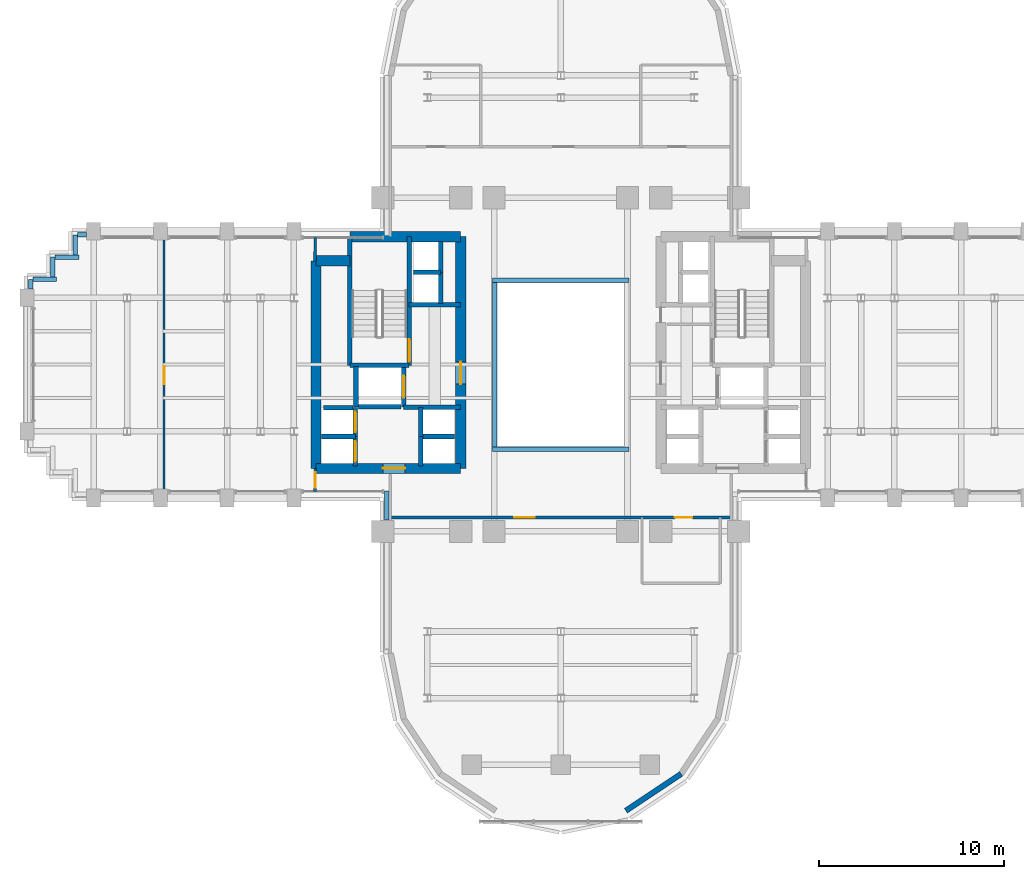
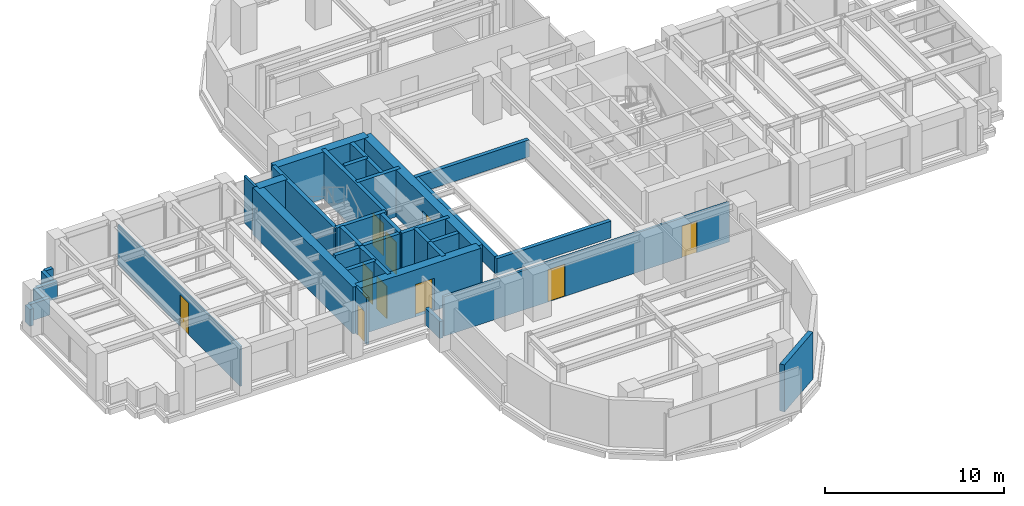
# One storey, part 10 of 16: 38 walls, 10 doors, 10 openings.
"""IFC4 building model written with IfcOpenShell, lengths in metres."""

from ifc_helpers import new_model, si_unit, direction, frame, frame_2d, origin, place, context, subcontext, project, spatial, rectangle, extrude, source, transform, mapped, material, layer, layer_set, type_object, element, fill, save


model = new_model("IFC4")

# Units and contexts
model_context = context("Model", 3, precision=1e-05, world=origin(), true_north=direction((0.0, 1.0)))
body_context = subcontext(model_context, "Body", "Model", "MODEL_VIEW")
ifc_project = project(units=[si_unit("LENGTHUNIT", "METRE"), si_unit("AREAUNIT", "SQUARE_METRE"), si_unit("VOLUMEUNIT", "CUBIC_METRE"), si_unit("PLANEANGLEUNIT", "RADIAN"), si_unit("MASSUNIT", "GRAM", prefix="KILO")], contexts=[model_context])

# Site, building, storey
site_placement = place(None, origin())
site = spatial("IfcSite", under=ifc_project, at=site_placement, CompositionType="ELEMENT")
building_placement = place(site_placement, origin())
building = spatial("IfcBuilding", under=site, at=building_placement, Name="Keilestroom Media Tower", CompositionType="ELEMENT")
storey_placement = place(building_placement, frame((0.0, 0.0, 68.0)))
storey = spatial("IfcBuildingStorey", under=building, at=storey_placement, Name="L17", CompositionType="ELEMENT", Elevation=68.0)

# Wall
ifc_material_1 = material(Name="Precast concrete C40/50", Category="concrete")
ifc_layer_1 = layer(ifc_material_1, 0.300048828125)
ifc_layer_set_1 = layer_set([ifc_layer_1], Name="Precast concrete C40/50")
wall_type_1 = type_object("IfcWallType", Name="Exterior-Masonry-Spandrel-Wall-300", PredefinedType="SOLIDWALL", material=ifc_layer_set_1)
wall_1_placement = place(storey_placement, frame((3.510009765625, -24.073486328125, 0.0), z_axis=(0.0, 0.0, 1.0), x_axis=(0.8314749531, 0.555562239868, 0.0)))
element("IfcWall", 1, at=wall_1_placement, inside=storey, type_object=wall_type_1, Name="L17 Lobe Facet Precast Frame Wall 10", PredefinedType="SOLIDWALL", context=body_context, shape_type="SweptSolid", body=[
    extrude(rectangle(XDim=3.59326171875, YDim=0.300048828125, at=frame_2d((1.796630859375, 0.0))), origin(), (0.0, 0.0, 1.0), 3.199951171875),
])

# Wall, opening, door
ifc_material_2 = material(Name="Gypsum Plasterboard & Steel Stud", Category="steel")
ifc_layer_2 = layer(ifc_material_2, 0.1201171875)
ifc_layer_set_2 = layer_set([ifc_layer_2], Name="Gypsum Plasterboard & Steel Stud")
wall_type_2 = type_object("IfcWallType", Name="Interior-Partition-Wall-120", PredefinedType="PARTITIONING", material=ifc_layer_set_2)
wall_2_placement = place(storey_placement, frame((-21.39990234375, -6.85009765625, 0.0), z_axis=(0.0, 0.0, 1.0), x_axis=(0.0, 1.0, 0.0)))
wall_2 = element("IfcWall", 2, at=wall_2_placement, inside=storey, type_object=wall_type_2, Name="L17 Interior Wall WP-L17-WA-V", PredefinedType="PARTITIONING", context=body_context, shape_type="SweptSolid", body=[
    extrude(rectangle(XDim=13.7001953125, YDim=0.1201171875, at=frame_2d((6.85009765625, 0.0))), origin(), (0.0, 0.0, 1.0), 2.7099609375),
])
opening_1_placement = place(wall_2_placement, frame((5.800048828125, 0.0, 0.0)))
opening_1 = element("IfcOpeningElement", 3, at=opening_1_placement, cuts=wall_2, Name="Opening DI-03", PredefinedType="OPENING", context=body_context, shape_type="SweptSolid", body=[
    extrude(rectangle(XDim=0.949951171875, YDim=2.14990234375, at=frame_2d((0.47509765625, 1.074951171875))), frame((0.0, 0.070068359375, 0.0), z_axis=(0.0, -1.0, 0.0), x_axis=(1.0, 0.0, 0.0)), (0.0, 0.0, 1.0), 0.14013671875),
])
ifc_material_3 = material(Name="Lacquered European Oak Leaf", Category="wood")
door_type_1 = type_object("IfcDoorType", Name="Interior-Room-And-Suite-Door-DI-03", OperationType="NOTDEFINED", PredefinedType="DOOR", material=ifc_material_3)
shared_shape_1 = source(origin(), body_context, "Body", "SweptSolid", [
    extrude(rectangle(XDim=0.949951171875, YDim=2.14990234375, at=frame_2d((0.47509765625, 1.074951171875))), frame((0.0, 0.02490234375, 0.0), z_axis=(0.0, -1.0, 0.0), x_axis=(1.0, 0.0, 0.0)), (0.0, 0.0, 1.0), 0.050048828125),
])
door_1_placement = place(opening_1_placement, origin())
door_1 = element("IfcDoor", 4, at=door_1_placement, inside=storey, type_object=door_type_1, Name="L17 Interior Door DI-L17-DWA-W", OperationType="SINGLE_SWING_LEFT", OverallHeight=2.14990234375, OverallWidth=0.949951171875, PredefinedType="DOOR", context=body_context, shape_type="MappedRepresentation", body=[
    mapped(shared_shape_1, transform((0.0, 0.0, 0.0), x_axis=(1.0, 0.0, 0.0), y_axis=(0.0, 1.0, 0.0), z_axis=(0.0, 0.0, 1.0), scale=1.0)),
])
fill(opening_1, door_1)

# Wall, openings, doors
ifc_layer_3 = layer(ifc_material_2, 0.14990234375)
ifc_layer_set_3 = layer_set([ifc_layer_3], Name="Gypsum Plasterboard & Steel Stud")
wall_type_3 = type_object("IfcWallType", Name="Interior-Partition-Wall-150", PredefinedType="PARTITIONING", material=ifc_layer_set_3)
wall_3_placement = place(storey_placement, frame((-9.199951171875, -8.25, 0.0), z_axis=(0.0, 0.0, 1.0), x_axis=(1.0, 0.0, 0.0)))
wall_3 = element("IfcWall", 5, at=wall_3_placement, inside=storey, type_object=wall_type_3, Name="L17 Interior Wall WP-L17-SL-BASE", PredefinedType="PARTITIONING", context=body_context, shape_type="SweptSolid", body=[
    extrude(rectangle(XDim=18.39990234375, YDim=0.14990234375, at=frame_2d((9.199951171875, 0.0))), origin(), (0.0, 0.0, 1.0), 2.699951171875),
])
opening_2_placement = place(wall_3_placement, frame((15.35009765625, 0.0, 0.0)))
opening_2 = element("IfcOpeningElement", 6, at=opening_2_placement, cuts=wall_3, Name="Opening DI-03", PredefinedType="OPENING", context=body_context, shape_type="SweptSolid", body=[
    extrude(rectangle(XDim=0.949951171875, YDim=2.14990234375, at=frame_2d((0.47509765625, 1.074951171875))), frame((0.0, 0.0849609375, 0.0), z_axis=(0.0, -1.0, 0.0), x_axis=(1.0, 0.0, 0.0)), (0.0, 0.0, 1.0), 0.169921875),
])
opening_3_placement = place(wall_3_placement, frame((6.699951171875, 0.0, 0.0)))
opening_3 = element("IfcOpeningElement", 7, at=opening_3_placement, cuts=wall_3, Name="Opening DI-04", PredefinedType="OPENING", context=body_context, shape_type="SweptSolid", body=[
    extrude(rectangle(XDim=1.10009765625, YDim=2.199951171875, at=frame_2d((0.550048828125, 1.10009765625))), frame((0.0, 0.0849609375, 0.0), z_axis=(0.0, -1.0, 0.0), x_axis=(1.0, 0.0, 0.0)), (0.0, 0.0, 1.0), 0.169921875),
])
door_2_placement = place(opening_2_placement, origin())
door_2 = element("IfcDoor", 8, at=door_2_placement, inside=storey, type_object=door_type_1, Name="L17 Interior Door DI-L17-DSL-WC", OperationType="SINGLE_SWING_RIGHT", OverallHeight=2.14990234375, OverallWidth=0.949951171875, PredefinedType="DOOR", context=body_context, shape_type="MappedRepresentation", body=[
    mapped(shared_shape_1, transform((0.0, 0.0, 0.0), x_axis=(1.0, 0.0, 0.0), y_axis=(0.0, 1.0, 0.0), z_axis=(0.0, 0.0, 1.0), scale=1.0)),
])
fill(opening_2, door_2)
ifc_material_4 = material(Name="Acoustic Glazed Aluminium Leaf", Category="aluminium")
door_type_2 = type_object("IfcDoorType", Name="Interior-Room-And-Suite-Door-DI-04", OperationType="NOTDEFINED", PredefinedType="DOOR", material=ifc_material_4)
shared_shape_2 = source(origin(), body_context, "Body", "SweptSolid", [
    extrude(rectangle(XDim=1.10009765625, YDim=2.199951171875, at=frame_2d((0.550048828125, 1.10009765625))), frame((0.0, 0.02490234375, 0.0), z_axis=(0.0, -1.0, 0.0), x_axis=(1.0, 0.0, 0.0)), (0.0, 0.0, 1.0), 0.050048828125),
])
door_3_placement = place(opening_3_placement, origin())
door_3 = element("IfcDoor", 9, at=door_3_placement, inside=storey, type_object=door_type_2, Name="L17 Interior Door DI-L17-DSL-MAIN", OperationType="SINGLE_SWING_LEFT", OverallHeight=2.199951171875, OverallWidth=1.10009765625, PredefinedType="DOOR", context=body_context, shape_type="MappedRepresentation", body=[
    mapped(shared_shape_2, transform((0.0, 0.0, 0.0), x_axis=(1.0, 0.0, 0.0), y_axis=(0.0, 1.0, 0.0), z_axis=(0.0, 0.0, 1.0), scale=1.0)),
])
fill(opening_3, door_3)

# Wall
wall_4_placement = place(storey_placement, frame((-13.260009765625, 5.60009765625, 0.0), z_axis=(0.0, 0.0, 1.0), x_axis=(0.016013571389, 0.999871774545, 0.0)))
element("IfcWall", 10, at=wall_4_placement, inside=storey, type_object=wall_type_3, Name="L17 Interior Wall WP-L17-WA-ENTN", PredefinedType="PARTITIONING", context=body_context, shape_type="SweptSolid", body=[
    extrude(rectangle(XDim=1.250244140625, YDim=0.14990234375, at=frame_2d((0.625, 0.0))), origin(), (0.0, 0.0, 1.0), 3.199951171875),
])

# Wall, opening, door
wall_5_placement = place(storey_placement, frame((-13.260009765625, -6.85009765625, 0.0), z_axis=(0.0, 0.0, 1.0), x_axis=(0.016013571389, 0.999871774545, 0.0)))
wall_5 = element("IfcWall", 11, at=wall_5_placement, inside=storey, type_object=wall_type_3, Name="L17 Interior Wall WP-L17-WA-ENTS", PredefinedType="PARTITIONING", context=body_context, shape_type="SweptSolid", body=[
    extrude(rectangle(XDim=1.250244140625, YDim=0.14990234375, at=frame_2d((0.625, 0.0))), origin(), (0.0, 0.0, 1.0), 3.199951171875),
])
opening_4_placement = place(wall_5_placement, frame((0.199951171875, 0.0, 0.0)))
opening_4 = element("IfcOpeningElement", 12, at=opening_4_placement, cuts=wall_5, Name="Opening DI-05", PredefinedType="OPENING", context=body_context, shape_type="SweptSolid", body=[
    extrude(rectangle(XDim=0.85009765625, YDim=2.10009765625, at=frame_2d((0.425048828125, 1.050048828125))), frame((0.0, 0.0849609375, 0.0), z_axis=(0.0, -1.0, 0.0), x_axis=(1.0, 0.0, 0.0)), (0.0, 0.0, 1.0), 0.169921875),
])
ifc_material_5 = material(Name="Moisture-Resistant Oak Leaf", Category="wood")
door_type_3 = type_object("IfcDoorType", Name="Interior-En-Suite-And-Cupboard-Door-DI-05", OperationType="NOTDEFINED", PredefinedType="DOOR", material=ifc_material_5)
shared_shape_3 = source(origin(), body_context, "Body", "SweptSolid", [
    extrude(rectangle(XDim=0.85009765625, YDim=2.10009765625, at=frame_2d((0.425048828125, 1.050048828125))), frame((0.0, 0.02490234375, 0.0), z_axis=(0.0, -1.0, 0.0), x_axis=(1.0, 0.0, 0.0)), (0.0, 0.0, 1.0), 0.050048828125),
])
door_4_placement = place(opening_4_placement, origin())
door_4 = element("IfcDoor", 13, at=door_4_placement, inside=storey, type_object=door_type_3, Name="L17 Interior Door DI-L17-DWA-E", OperationType="SINGLE_SWING_RIGHT", OverallHeight=2.10009765625, OverallWidth=0.85009765625, PredefinedType="DOOR", context=body_context, shape_type="MappedRepresentation", body=[
    mapped(shared_shape_3, transform((0.0, 0.0, 0.0), x_axis=(1.0, 0.0, 0.0), y_axis=(0.0, 1.0, 0.0), z_axis=(0.0, 0.0, 1.0), scale=1.0)),
])
fill(opening_4, door_4)

# Wall
ifc_material_6 = material(Name="Concrete C70/85", Category="concrete")
ifc_layer_4 = layer(ifc_material_6, 0.550048828125)
ifc_layer_set_4 = layer_set([ifc_layer_4], Name="Concrete C70/85")
wall_type_4 = type_object("IfcWallType", Name="Reinforced-Concrete-Core-Shear-Wall-550", PredefinedType="SHEAR", material=ifc_layer_set_4)
wall_6_placement = place(storey_placement, frame((-13.199951171875, -5.60009765625, 0.0), z_axis=(0.0, 0.0, 1.0), x_axis=(0.0, 1.0, 0.0)))
element("IfcWall", 14, at=wall_6_placement, inside=storey, type_object=wall_type_4, Name="L17 Core Shear Wall WL-L17-CORE-W-OUT", PredefinedType="SHEAR", context=body_context, shape_type="SweptSolid", body=[
    extrude(rectangle(XDim=11.2001953125, YDim=0.550048828125, at=frame_2d((5.60009765625, 0.0))), origin(), (0.0, 0.0, 1.0), 3.199951171875),
])

# Wall, opening, door
wall_7_placement = place(storey_placement, frame((-5.39990234375, -5.60009765625, 0.0), z_axis=(0.0, 0.0, 1.0), x_axis=(0.0, 1.0, 0.0)))
wall_7 = element("IfcWall", 15, at=wall_7_placement, inside=storey, type_object=wall_type_4, Name="L17 Core Shear Wall WL-L17-CORE-W-IN", PredefinedType="SHEAR", context=body_context, shape_type="SweptSolid", body=[
    extrude(rectangle(XDim=12.5, YDim=0.550048828125, at=frame_2d((6.25, 0.0))), origin(), (0.0, 0.0, 1.0), 3.199951171875),
])
opening_5_placement = place(wall_7_placement, frame((4.550048828125, 0.0, 0.0)))
opening_5 = element("IfcOpeningElement", 16, at=opening_5_placement, cuts=wall_7, Name="Opening DI-02", PredefinedType="OPENING", context=body_context, shape_type="SweptSolid", body=[
    extrude(rectangle(XDim=1.199951171875, YDim=2.199951171875, at=frame_2d((0.60009765625, 1.10009765625))), frame((0.0, 0.28515625, 0.0), z_axis=(0.0, -1.0, 0.0), x_axis=(1.0, 0.0, 0.0)), (0.0, 0.0, 1.0), 0.570068359375),
])
ifc_material_7 = material(Name="Powder-Coated Steel Fire Leaf", Category="steel")
door_type_4 = type_object("IfcDoorType", Name="Interior-Compartment-Fire-Door-DI-02", OperationType="NOTDEFINED", PredefinedType="DOOR", material=ifc_material_7)
shared_shape_4 = source(origin(), body_context, "Body", "SweptSolid", [
    extrude(rectangle(XDim=1.199951171875, YDim=2.199951171875, at=frame_2d((0.60009765625, 1.10009765625))), frame((0.0, 0.02490234375, 0.0), z_axis=(0.0, -1.0, 0.0), x_axis=(1.0, 0.0, 0.0)), (0.0, 0.0, 1.0), 0.050048828125),
])
door_5_placement = place(opening_5_placement, origin())
door_5 = element("IfcDoor", 17, at=door_5_placement, inside=storey, type_object=door_type_4, Name="L17 W Firefighting Lobby Door", OperationType="SINGLE_SWING_RIGHT", OverallHeight=2.199951171875, OverallWidth=1.199951171875, PredefinedType="DOOR", context=body_context, shape_type="MappedRepresentation", body=[
    mapped(shared_shape_4, transform((0.0, 0.0, 0.0), x_axis=(1.0, 0.0, 0.0), y_axis=(0.0, 1.0, 0.0), z_axis=(0.0, 0.0, 1.0), scale=1.0)),
])
fill(opening_5, door_5)

# Walls
wall_8_placement = place(storey_placement, frame((-11.381103515625, 6.89990234375, 0.0), z_axis=(0.0, 0.0, 1.0), x_axis=(1.0, 0.0, 0.0)))
element("IfcWall", 18, at=wall_8_placement, inside=storey, type_object=wall_type_4, Name="L17 Core Shear Wall WL-L17-CORE-W-N", PredefinedType="SHEAR", context=body_context, shape_type="SweptSolid", body=[
    extrude(rectangle(XDim=5.981201171875, YDim=0.550048828125, at=frame_2d((2.99072265625, 0.0))), origin(), (0.0, 0.0, 1.0), 3.199951171875),
])
wall_9_placement = place(storey_placement, frame((-13.199951171875, 5.60009765625, 0.0), z_axis=(0.0, 0.0, 1.0), x_axis=(1.0, 0.0, 0.0)))
element("IfcWall", 19, at=wall_9_placement, inside=storey, type_object=wall_type_4, Name="L17 Core Shear Wall WL-L17-CNW-N", PredefinedType="SHEAR", context=body_context, shape_type="SweptSolid", body=[
    extrude(rectangle(XDim=1.81884765625, YDim=0.550048828125, at=frame_2d((0.909423828125, 0.0))), origin(), (0.0, 0.0, 1.0), 3.199951171875),
])

# Wall, opening, door
wall_10_placement = place(storey_placement, frame((-13.199951171875, -5.60009765625, 0.0), z_axis=(0.0, 0.0, 1.0), x_axis=(1.0, 0.0, 0.0)))
wall_10 = element("IfcWall", 20, at=wall_10_placement, inside=storey, type_object=wall_type_4, Name="L17 Core Shear Wall WL-L17-CORE-W-S", PredefinedType="SHEAR", context=body_context, shape_type="SweptSolid", body=[
    extrude(rectangle(XDim=7.800048828125, YDim=0.550048828125, at=frame_2d((3.89990234375, 0.0))), origin(), (0.0, 0.0, 1.0), 3.199951171875),
])
opening_6_placement = place(wall_10_placement, frame((3.60009765625, 0.0, 0.0)))
opening_6 = element("IfcOpeningElement", 21, at=opening_6_placement, cuts=wall_10, Name="Opening DI-02", PredefinedType="OPENING", context=body_context, shape_type="SweptSolid", body=[
    extrude(rectangle(XDim=1.199951171875, YDim=2.199951171875, at=frame_2d((0.60009765625, 1.10009765625))), frame((0.0, 0.28515625, 0.0), z_axis=(0.0, -1.0, 0.0), x_axis=(1.0, 0.0, 0.0)), (0.0, 0.0, 1.0), 0.570068359375),
])
door_6_placement = place(opening_6_placement, origin())
door_6 = element("IfcDoor", 22, at=door_6_placement, inside=storey, type_object=door_type_4, Name="L17 W Passenger Lift Lobby Door", OperationType="SINGLE_SWING_LEFT", OverallHeight=2.199951171875, OverallWidth=1.199951171875, PredefinedType="DOOR", context=body_context, shape_type="MappedRepresentation", body=[
    mapped(shared_shape_4, transform((0.0, 0.0, 0.0), x_axis=(1.0, 0.0, 0.0), y_axis=(0.0, 1.0, 0.0), z_axis=(0.0, 0.0, 1.0), scale=1.0)),
])
fill(opening_6, door_6)

# Walls
ifc_material_8 = material(Name="Concrete C50/60", Category="concrete")
ifc_layer_5 = layer(ifc_material_8, 0.25)
ifc_layer_set_5 = layer_set([ifc_layer_5], Name="Concrete C50/60")
wall_type_5 = type_object("IfcWallType", Name="Reinforced-Concrete-Shaft-Wall-250", PredefinedType="SOLIDWALL", material=ifc_layer_set_5)
wall_11_placement = place(storey_placement, frame((-8.179931640625, 3.219970703125, 0.0), z_axis=(0.0, 0.0, 1.0), x_axis=(1.0, 0.0, 0.0)))
element("IfcWall", 23, at=wall_11_placement, inside=storey, type_object=wall_type_5, Name="L17 Core Shear Wall WL-L17-CORE-W-FFN", PredefinedType="SOLIDWALL", context=body_context, shape_type="SweptSolid", body=[
    extrude(rectangle(XDim=2.780029296875, YDim=0.25, at=frame_2d((1.39013671875, 0.0))), origin(), (0.0, 0.0, 1.0), 3.199951171875),
])
wall_12_placement = place(storey_placement, frame((-8.47998046875, -2.300048828125, 0.0), z_axis=(0.0, 0.0, 1.0), x_axis=(1.0, 0.0, 0.0)))
element("IfcWall", 24, at=wall_12_placement, inside=storey, type_object=wall_type_5, Name="L17 Core Shear Wall WL-L17-CORE-W-FFS", PredefinedType="SOLIDWALL", context=body_context, shape_type="SweptSolid", body=[
    extrude(rectangle(XDim=3.080078125, YDim=0.25, at=frame_2d((1.5400390625, 0.0))), origin(), (0.0, 0.0, 1.0), 3.199951171875),
])

# Wall, opening, door
wall_13_placement = place(storey_placement, frame((-8.178955078125, -0.041015625, 0.0), z_axis=(0.0, 0.0, 1.0), x_axis=(0.0, 1.0, 0.0)))
wall_13 = element("IfcWall", 25, at=wall_13_placement, inside=storey, type_object=wall_type_5, Name="L17 Core Shear Wall WL-L17-STW-W-NEAR", PredefinedType="SOLIDWALL", context=body_context, shape_type="SweptSolid", body=[
    extrude(rectangle(XDim=6.94091796875, YDim=0.25, at=frame_2d((3.470458984375, 0.0))), origin(), (0.0, 0.0, 1.0), 3.199951171875),
])
opening_7_placement = place(wall_13_placement, frame((0.199951171875, 0.0, 0.0)))
opening_7 = element("IfcOpeningElement", 26, at=opening_7_placement, cuts=wall_13, Name="Opening DI-01S", PredefinedType="OPENING", context=body_context, shape_type="SweptSolid", body=[
    extrude(rectangle(XDim=1.199951171875, YDim=2.199951171875, at=frame_2d((0.60009765625, 1.10009765625))), frame((0.0, 0.135009765625, 0.0), z_axis=(0.0, -1.0, 0.0), x_axis=(1.0, 0.0, 0.0)), (0.0, 0.0, 1.0), 0.27001953125),
])
door_type_5 = type_object("IfcDoorType", Name="Interior-Stair-And-Core-Fire-Door-DI-01", OperationType="NOTDEFINED", PredefinedType="DOOR", material=ifc_material_7)
door_7_placement = place(opening_7_placement, origin())
door_7 = element("IfcDoor", 27, at=door_7_placement, inside=storey, type_object=door_type_5, Name="L17 Escape Stair ST-1 Fire Door", OperationType="SINGLE_SWING_LEFT", OverallHeight=2.199951171875, OverallWidth=1.199951171875, PredefinedType="DOOR", context=body_context, shape_type="MappedRepresentation", body=[
    mapped(shared_shape_4, transform((0.0, 0.0, 0.0), x_axis=(1.0, 0.0, 0.0), y_axis=(0.0, 1.0, 0.0), z_axis=(0.0, 0.0, 1.0), scale=1.0)),
])
fill(opening_7, door_7)

# Walls
wall_14_placement = place(storey_placement, frame((-11.381103515625, -0.041015625, 0.0), z_axis=(0.0, 0.0, 1.0), x_axis=(0.0, 1.0, 0.0)))
element("IfcWall", 28, at=wall_14_placement, inside=storey, type_object=wall_type_5, Name="L17 Core Shear Wall WL-L17-STW-W-FAR", PredefinedType="SOLIDWALL", context=body_context, shape_type="SweptSolid", body=[
    extrude(rectangle(XDim=6.94091796875, YDim=0.25, at=frame_2d((3.470458984375, 0.0))), origin(), (0.0, 0.0, 1.0), 3.199951171875),
])
wall_15_placement = place(storey_placement, frame((-11.381103515625, -0.041015625, 0.0), z_axis=(0.0, 0.0, 1.0), x_axis=(1.0, 0.0, 0.0)))
element("IfcWall", 29, at=wall_15_placement, inside=storey, type_object=wall_type_5, Name="L17 Core Shear Wall WL-L17-STW-W-S", PredefinedType="SOLIDWALL", context=body_context, shape_type="SweptSolid", body=[
    extrude(rectangle(XDim=3.2021484375, YDim=0.25, at=frame_2d((1.60107421875, 0.0))), origin(), (0.0, 0.0, 1.0), 3.199951171875),
])
wall_16_placement = place(storey_placement, frame((-11.050048828125, -2.280029296875, 0.0), z_axis=(0.0, 0.0, 1.0), x_axis=(0.0, 1.0, 0.0)))
element("IfcWall", 30, at=wall_16_placement, inside=storey, type_object=wall_type_5, Name="L17 Core Shear Wall WL-L17-LSH-FFL-1-W", PredefinedType="SOLIDWALL", context=body_context, shape_type="SweptSolid", body=[
    extrude(rectangle(XDim=2.179931640625, YDim=0.25, at=frame_2d((1.08984375, 0.0))), origin(), (0.0, 0.0, 1.0), 3.199951171875),
])

# Wall, opening, door
wall_17_placement = place(storey_placement, frame((-8.47998046875, -2.280029296875, 0.0), z_axis=(0.0, 0.0, 1.0), x_axis=(0.0, 1.0, 0.0)))
wall_17 = element("IfcWall", 31, at=wall_17_placement, inside=storey, type_object=wall_type_5, Name="L17 Core Shear Wall WL-L17-LSH-FFL-1-E", PredefinedType="SOLIDWALL", context=body_context, shape_type="SweptSolid", body=[
    extrude(rectangle(XDim=2.179931640625, YDim=0.25, at=frame_2d((1.08984375, 0.0))), origin(), (0.0, 0.0, 1.0), 3.199951171875),
])
opening_8_placement = place(wall_17_placement, frame((0.489990234375, 0.0, 0.0)))
opening_8 = element("IfcOpeningElement", 32, at=opening_8_placement, cuts=wall_17, Name="Opening LD-02", PredefinedType="OPENING", context=body_context, shape_type="SweptSolid", body=[
    extrude(rectangle(XDim=1.199951171875, YDim=2.199951171875, at=frame_2d((0.60009765625, 1.10009765625))), frame((0.0, 0.135009765625, 0.0), z_axis=(0.0, -1.0, 0.0), x_axis=(1.0, 0.0, 0.0)), (0.0, 0.0, 1.0), 0.27001953125),
])
ifc_material_9 = material(Name="Brushed Stainless Steel Sliding Leaf", Category="steel")
door_type_6 = type_object("IfcDoorType", Name="Lift-Landing-Sliding-Door-LD-02", OperationType="SLIDING_TO_RIGHT", PredefinedType="DOOR", material=ifc_material_9)
door_8_placement = place(opening_8_placement, origin())
door_8 = element("IfcDoor", 33, at=door_8_placement, inside=storey, type_object=door_type_6, Name="L17 Lift FFL-1 Landing Sliding Door", OperationType="SLIDING_TO_RIGHT", OverallHeight=2.199951171875, OverallWidth=1.199951171875, PredefinedType="DOOR", context=body_context, shape_type="MappedRepresentation", body=[
    mapped(shared_shape_4, transform((0.0, 0.0, 0.0), x_axis=(1.0, 0.0, 0.0), y_axis=(0.0, 1.0, 0.0), z_axis=(0.0, 0.0, 1.0), scale=1.0)),
])
fill(opening_8, door_8)

# Wall
wall_18_placement = place(storey_placement, frame((-10.9208984375, -2.280029296875, 0.0), z_axis=(0.0, 0.0, 1.0), x_axis=(1.0, 0.0, 0.0)))
element("IfcWall", 34, at=wall_18_placement, inside=storey, type_object=wall_type_5, Name="L17 Core Shear Wall WL-L17-LSH-FFL-1-S", PredefinedType="SOLIDWALL", context=body_context, shape_type="SweptSolid", body=[
    extrude(rectangle(XDim=2.31201171875, YDim=0.25, at=frame_2d((1.156005859375, 0.0))), origin(), (0.0, 0.0, 1.0), 3.199951171875),
])

# Wall, opening, door
wall_19_placement = place(storey_placement, frame((-11.080078125, -5.47998046875, 0.0), z_axis=(0.0, 0.0, 1.0), x_axis=(0.0, 1.0, 0.0)))
wall_19 = element("IfcWall", 35, at=wall_19_placement, inside=storey, type_object=wall_type_5, Name="L17 Core Shear Wall WL-L17-LSH-PL-L1-E", PredefinedType="SOLIDWALL", context=body_context, shape_type="SweptSolid", body=[
    extrude(rectangle(XDim=1.60009765625, YDim=0.25, at=frame_2d((0.800048828125, 0.0))), origin(), (0.0, 0.0, 1.0), 3.199951171875),
])
opening_9_placement = place(wall_19_placement, frame((0.25, 0.0, 0.0)))
opening_9 = element("IfcOpeningElement", 36, at=opening_9_placement, cuts=wall_19, Name="Opening LD-01", PredefinedType="OPENING", context=body_context, shape_type="SweptSolid", body=[
    extrude(rectangle(XDim=1.10009765625, YDim=2.199951171875, at=frame_2d((0.550048828125, 1.10009765625))), frame((0.0, 0.135009765625, 0.0), z_axis=(0.0, -1.0, 0.0), x_axis=(1.0, 0.0, 0.0)), (0.0, 0.0, 1.0), 0.27001953125),
])
door_type_7 = type_object("IfcDoorType", Name="Lift-Landing-Sliding-Door-LD-01", OperationType="SLIDING_TO_LEFT", PredefinedType="DOOR", material=ifc_material_9)
door_9_placement = place(opening_9_placement, origin())
door_9 = element("IfcDoor", 37, at=door_9_placement, inside=storey, type_object=door_type_7, Name="L17 Lift PL-L1 Landing Sliding Door", OperationType="SLIDING_TO_LEFT", OverallHeight=2.199951171875, OverallWidth=1.10009765625, PredefinedType="DOOR", context=body_context, shape_type="MappedRepresentation", body=[
    mapped(shared_shape_2, transform((0.0, 0.0, 0.0), x_axis=(1.0, 0.0, 0.0), y_axis=(0.0, 1.0, 0.0), z_axis=(0.0, 0.0, 1.0), scale=1.0)),
])
fill(opening_9, door_9)

# Wall
wall_20_placement = place(storey_placement, frame((-12.919921875, -3.8798828125, 0.0), z_axis=(0.0, 0.0, 1.0), x_axis=(1.0, 0.0, 0.0)))
element("IfcWall", 38, at=wall_20_placement, inside=storey, type_object=wall_type_5, Name="L17 Core Shear Wall WL-L17-LSH-PL-L1-N", PredefinedType="SOLIDWALL", context=body_context, shape_type="SweptSolid", body=[
    extrude(rectangle(XDim=1.83984375, YDim=0.25, at=frame_2d((0.919921875, 0.0))), origin(), (0.0, 0.0, 1.0), 3.199951171875),
])

# Wall, opening, door
wall_21_placement = place(storey_placement, frame((-11.080078125, -3.8798828125, 0.0), z_axis=(0.0, 0.0, 1.0), x_axis=(0.0, 1.0, 0.0)))
wall_21 = element("IfcWall", 39, at=wall_21_placement, inside=storey, type_object=wall_type_5, Name="L17 Core Shear Wall WL-L17-LSH-PL-L2-E", PredefinedType="SOLIDWALL", context=body_context, shape_type="SweptSolid", body=[
    extrude(rectangle(XDim=1.559814453125, YDim=0.25, at=frame_2d((0.77978515625, 0.0))), origin(), (0.0, 0.0, 1.0), 3.199951171875),
])
opening_10_placement = place(wall_21_placement, frame((0.22998046875, 0.0, 0.0)))
opening_10 = element("IfcOpeningElement", 40, at=opening_10_placement, cuts=wall_21, Name="Opening LD-01", PredefinedType="OPENING", context=body_context, shape_type="SweptSolid", body=[
    extrude(rectangle(XDim=1.10009765625, YDim=2.199951171875, at=frame_2d((0.550048828125, 1.10009765625))), frame((0.0, 0.135009765625, 0.0), z_axis=(0.0, -1.0, 0.0), x_axis=(1.0, 0.0, 0.0)), (0.0, 0.0, 1.0), 0.27001953125),
])
door_10_placement = place(opening_10_placement, origin())
door_10 = element("IfcDoor", 41, at=door_10_placement, inside=storey, type_object=door_type_7, Name="L17 Lift PL-L2 Landing Sliding Door", OperationType="SLIDING_TO_LEFT", OverallHeight=2.199951171875, OverallWidth=1.10009765625, PredefinedType="DOOR", context=body_context, shape_type="MappedRepresentation", body=[
    mapped(shared_shape_2, transform((0.0, 0.0, 0.0), x_axis=(1.0, 0.0, 0.0), y_axis=(0.0, 1.0, 0.0), z_axis=(0.0, 0.0, 1.0), scale=1.0)),
])
fill(opening_10, door_10)

# Walls
wall_22_placement = place(storey_placement, frame((-12.791015625, -2.320068359375, 0.0), z_axis=(0.0, 0.0, 1.0), x_axis=(1.0, 0.0, 0.0)))
element("IfcWall", 42, at=wall_22_placement, inside=storey, type_object=wall_type_5, Name="L17 Core Shear Wall WL-L17-LSH-PL-L2-N", PredefinedType="SOLIDWALL", context=body_context, shape_type="SweptSolid", body=[
    extrude(rectangle(XDim=1.58203125, YDim=0.25, at=frame_2d((0.791015625, 0.0))), origin(), (0.0, 0.0, 1.0), 3.199951171875),
])
wall_23_placement = place(storey_placement, frame((-7.56005859375, -5.47998046875, 0.0), z_axis=(0.0, 0.0, 1.0), x_axis=(0.0, 1.0, 0.0)))
element("IfcWall", 43, at=wall_23_placement, inside=storey, type_object=wall_type_5, Name="L17 Core Shear Wall WL-L17-LSH-PL-M1-W", PredefinedType="SOLIDWALL", context=body_context, shape_type="SweptSolid", body=[
    extrude(rectangle(XDim=1.60009765625, YDim=0.25, at=frame_2d((0.800048828125, 0.0))), origin(), (0.0, 0.0, 1.0), 3.199951171875),
])
wall_24_placement = place(storey_placement, frame((-7.56005859375, -3.8798828125, 0.0), z_axis=(0.0, 0.0, 1.0), x_axis=(1.0, 0.0, 0.0)))
element("IfcWall", 44, at=wall_24_placement, inside=storey, type_object=wall_type_5, Name="L17 Core Shear Wall WL-L17-LSH-PL-M1-N", PredefinedType="SOLIDWALL", context=body_context, shape_type="SweptSolid", body=[
    extrude(rectangle(XDim=1.840087890625, YDim=0.25, at=frame_2d((0.919921875, 0.0))), origin(), (0.0, 0.0, 1.0), 3.199951171875),
])
wall_25_placement = place(storey_placement, frame((-7.56005859375, -3.8798828125, 0.0), z_axis=(0.0, 0.0, 1.0), x_axis=(0.0, 1.0, 0.0)))
element("IfcWall", 45, at=wall_25_placement, inside=storey, type_object=wall_type_5, Name="L17 Core Shear Wall WL-L17-LSH-PL-M2-W", PredefinedType="SOLIDWALL", context=body_context, shape_type="SweptSolid", body=[
    extrude(rectangle(XDim=1.559814453125, YDim=0.25, at=frame_2d((0.77978515625, 0.0))), origin(), (0.0, 0.0, 1.0), 3.199951171875),
])
wall_26_placement = place(storey_placement, frame((-6.47998046875, 3.300048828125, 0.0), z_axis=(0.0, 0.0, 1.0), x_axis=(0.0, 1.0, 0.0)))
element("IfcWall", 46, at=wall_26_placement, inside=storey, type_object=wall_type_5, Name="L17 Core Shear Wall WL-L17-LSH-PL-H1-E", PredefinedType="SOLIDWALL", context=body_context, shape_type="SweptSolid", body=[
    extrude(rectangle(XDim=1.679931640625, YDim=0.25, at=frame_2d((0.83984375, 0.0))), origin(), (0.0, 0.0, 1.0), 3.199951171875),
])
wall_27_placement = place(storey_placement, frame((-7.949951171875, 4.97998046875, 0.0), z_axis=(0.0, 0.0, 1.0), x_axis=(1.0, 0.0, 0.0)))
element("IfcWall", 47, at=wall_27_placement, inside=storey, type_object=wall_type_5, Name="L17 Core Shear Wall WL-L17-LSH-PL-H1-N", PredefinedType="SOLIDWALL", context=body_context, shape_type="SweptSolid", body=[
    extrude(rectangle(XDim=1.469970703125, YDim=0.25, at=frame_2d((0.73486328125, 0.0))), origin(), (0.0, 0.0, 1.0), 3.199951171875),
])
wall_28_placement = place(storey_placement, frame((-6.47998046875, 4.97998046875, 0.0), z_axis=(0.0, 0.0, 1.0), x_axis=(0.0, 1.0, 0.0)))
element("IfcWall", 48, at=wall_28_placement, inside=storey, type_object=wall_type_5, Name="L17 Core Shear Wall WL-L17-LSH-PL-H2-E", PredefinedType="SOLIDWALL", context=body_context, shape_type="SweptSolid", body=[
    extrude(rectangle(XDim=1.669921875, YDim=0.25, at=frame_2d((0.8349609375, 0.0))), origin(), (0.0, 0.0, 1.0), 3.199951171875),
])
ifc_layer_6 = layer(ifc_material_1, 0.239990234375)
ifc_layer_set_6 = layer_set([ifc_layer_6], Name="Precast concrete C40/50")
wall_type_6 = type_object("IfcWallType", Name="Roof-And-Terrace-Parapet-Wall-240", PredefinedType="PARAPET", material=ifc_layer_set_6)
wall_29_placement = place(storey_placement, frame((-9.39990234375, -8.39697265625, 0.0), z_axis=(0.0, 0.0, 1.0), x_axis=(0.0, 1.0, 0.0)))
element("IfcWall", 49, at=wall_29_placement, inside=storey, type_object=wall_type_6, Name="L17 Perimeter Edge Parapet Wall 11", PredefinedType="PARAPET", context=body_context, shape_type="SweptSolid", body=[
    extrude(rectangle(XDim=1.578125, YDim=0.239990234375, at=frame_2d((0.7890625, 0.0))), origin(), (0.0, 0.0, 1.0), 1.14990234375),
])
wall_30_placement = place(storey_placement, frame((-28.60009765625, 4.077880859375, 0.0), z_axis=(0.0, 0.0, 1.0), x_axis=(0.0, 1.0, 0.0)))
element("IfcWall", 50, at=wall_30_placement, inside=storey, type_object=wall_type_6, Name="L17 Perimeter Edge Parapet Wall 18", PredefinedType="PARAPET", context=body_context, shape_type="SweptSolid", body=[
    extrude(rectangle(XDim=0.522216796875, YDim=0.239990234375, at=frame_2d((0.26123046875, 0.0))), origin(), (0.0, 0.0, 1.0), 1.14990234375),
])
wall_31_placement = place(storey_placement, frame((-28.47705078125, 4.60009765625, 0.0), z_axis=(0.0, 0.0, 1.0), x_axis=(1.0, 0.0, 0.0)))
element("IfcWall", 51, at=wall_31_placement, inside=storey, type_object=wall_type_6, Name="L17 Perimeter Edge Parapet Wall 19", PredefinedType="PARAPET", context=body_context, shape_type="SweptSolid", body=[
    extrude(rectangle(XDim=1.277099609375, YDim=0.239990234375, at=frame_2d((0.638671875, 0.0))), origin(), (0.0, 0.0, 1.0), 1.14990234375),
])
wall_32_placement = place(storey_placement, frame((-27.39990234375, 4.722900390625, 0.0), z_axis=(0.0, 0.0, 1.0), x_axis=(0.0, 1.0, 0.0)))
element("IfcWall", 52, at=wall_32_placement, inside=storey, type_object=wall_type_6, Name="L17 Perimeter Edge Parapet Wall 20", PredefinedType="PARAPET", context=body_context, shape_type="SweptSolid", body=[
    extrude(rectangle(XDim=1.0771484375, YDim=0.239990234375, at=frame_2d((0.53857421875, 0.0))), origin(), (0.0, 0.0, 1.0), 1.14990234375),
])
wall_33_placement = place(storey_placement, frame((-27.277099609375, 5.800048828125, 0.0), z_axis=(0.0, 0.0, 1.0), x_axis=(1.0, 0.0, 0.0)))
element("IfcWall", 53, at=wall_33_placement, inside=storey, type_object=wall_type_6, Name="L17 Perimeter Edge Parapet Wall 21", PredefinedType="PARAPET", context=body_context, shape_type="SweptSolid", body=[
    extrude(rectangle(XDim=1.277099609375, YDim=0.239990234375, at=frame_2d((0.638671875, 0.0))), origin(), (0.0, 0.0, 1.0), 1.14990234375),
])
wall_34_placement = place(storey_placement, frame((-26.199951171875, 5.923095703125, 0.0), z_axis=(0.0, 0.0, 1.0), x_axis=(0.0, 1.0, 0.0)))
element("IfcWall", 54, at=wall_34_placement, inside=storey, type_object=wall_type_6, Name="L17 Perimeter Edge Parapet Wall 22", PredefinedType="PARAPET", context=body_context, shape_type="SweptSolid", body=[
    extrude(rectangle(XDim=1.076904296875, YDim=0.239990234375, at=frame_2d((0.53857421875, 0.0))), origin(), (0.0, 0.0, 1.0), 1.14990234375),
])
wall_35_placement = place(storey_placement, frame((-26.076904296875, 7.0, 0.0), z_axis=(0.0, 0.0, 1.0), x_axis=(1.0, 0.0, 0.0)))
element("IfcWall", 55, at=wall_35_placement, inside=storey, type_object=wall_type_6, Name="L17 Perimeter Edge Parapet Wall 23", PredefinedType="PARAPET", context=body_context, shape_type="SweptSolid", body=[
    extrude(rectangle(XDim=0.4990234375, YDim=0.239990234375, at=frame_2d((0.24951171875, 0.0))), origin(), (0.0, 0.0, 1.0), 1.14990234375),
])
for number, where, z_axis, x_axis, name in (
    (56, (-3.679931640625, -4.56005859375, 0.0), (0.0, 0.0, 1.0), (1.0, 0.0, 0.0), "L17 Central Atrium Guard Parapet S"),
    (57, (-3.679931640625, 4.56005859375, 0.0), (0.0, 0.0, 1.0), (1.0, 0.0, 0.0), "L17 Central Atrium Guard Parapet N"),
):
    element("IfcWall", number, at=place(storey_placement, frame(where, z_axis=z_axis, x_axis=x_axis)), inside=storey, type_object=wall_type_6, Name=name, PredefinedType="PARAPET", context=body_context, shape_type="SweptSolid", body=[
        extrude(rectangle(XDim=7.35986328125, YDim=0.239990234375, at=frame_2d((3.679931640625, 0.0))), origin(), (0.0, 0.0, 1.0), 1.14990234375),
    ])
wall_36_placement = place(storey_placement, frame((-3.56005859375, -4.43505859375, 0.0), z_axis=(0.0, 0.0, 1.0), x_axis=(0.0, 1.0, 0.0)))
element("IfcWall", 58, at=wall_36_placement, inside=storey, type_object=wall_type_6, Name="L17 Central Atrium Guard Parapet W", PredefinedType="PARAPET", context=body_context, shape_type="SweptSolid", body=[
    extrude(rectangle(XDim=8.8701171875, YDim=0.239990234375, at=frame_2d((4.43505859375, 0.0))), origin(), (0.0, 0.0, 1.0), 1.14990234375),
])

save(model, "model.ifc")
